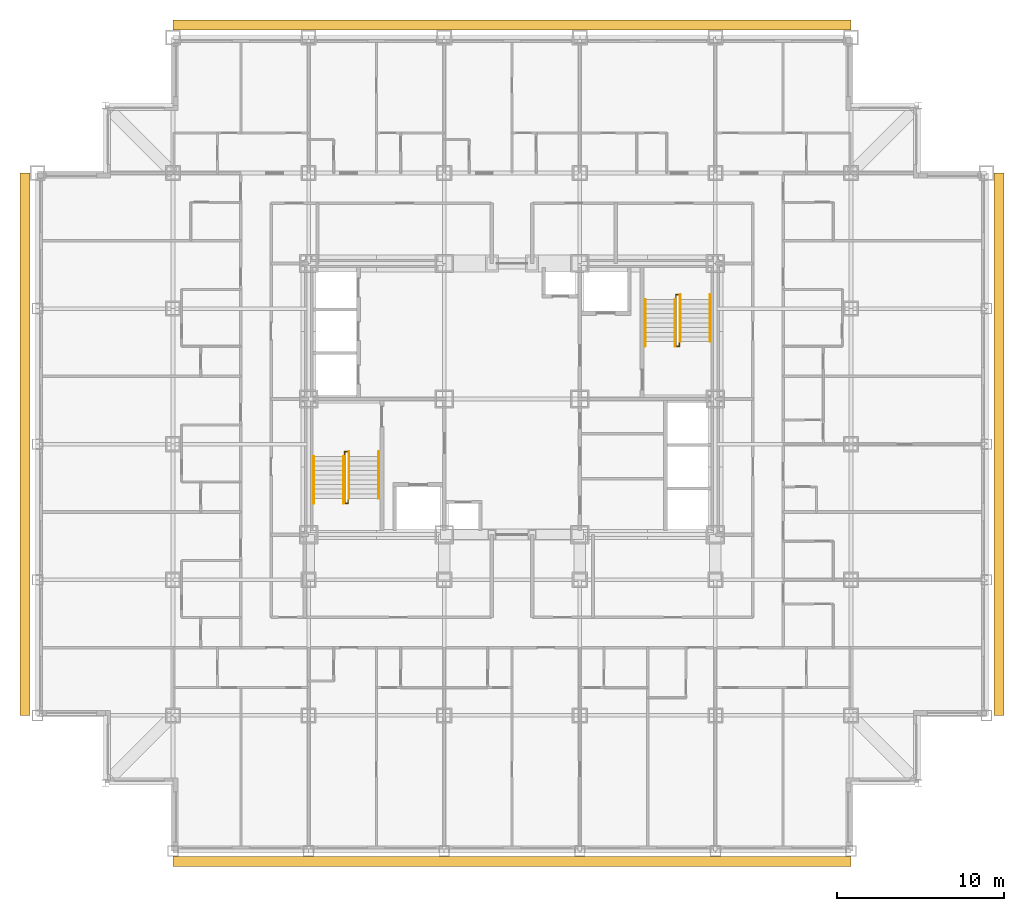
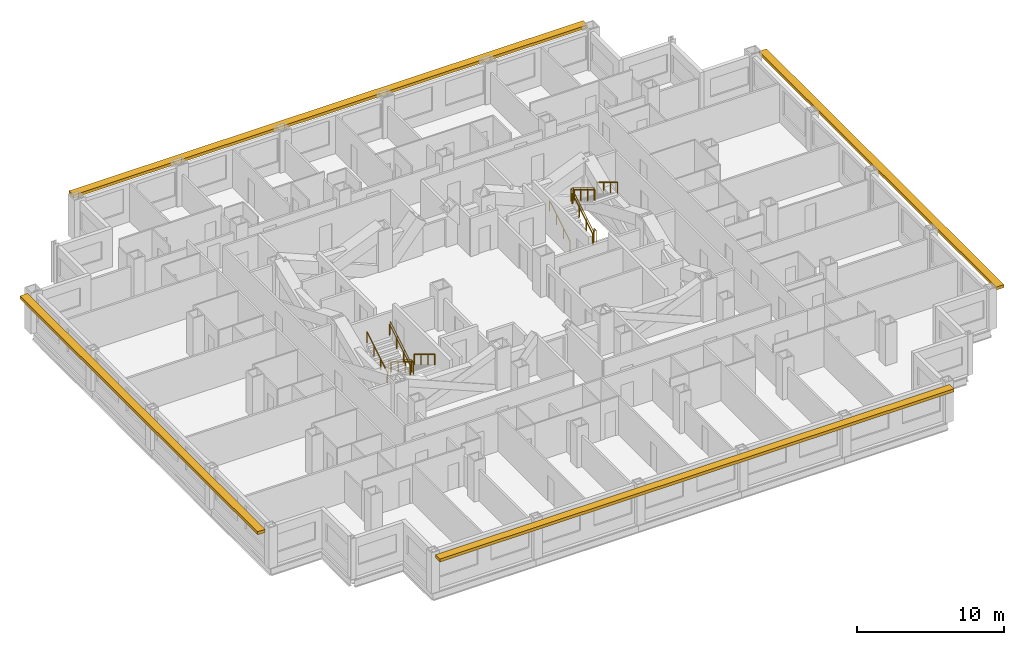
# One storey, part 12 of 12: 10 railings, 4 shading devices.
"""IFC4 building model written with IfcOpenShell, lengths in metres."""

from ifc_helpers import new_model, si_unit, direction, frame, origin, origin_2d, place, context, subcontext, project, spatial, rectangle, circle, extrude, material, type_object, element, save


model = new_model("IFC4")

# Units and contexts
model_context = context("Model", 3, precision=1e-05, world=origin(), true_north=direction((0.0, 1.0)))
body_context = subcontext(model_context, "Body", "Model", "MODEL_VIEW")
ifc_project = project(units=[si_unit("LENGTHUNIT", "METRE"), si_unit("AREAUNIT", "SQUARE_METRE"), si_unit("VOLUMEUNIT", "CUBIC_METRE"), si_unit("PLANEANGLEUNIT", "RADIAN"), si_unit("MASSUNIT", "GRAM", prefix="KILO")], contexts=[model_context])

# Site, building, storey
site_placement = place(None, origin())
site = spatial("IfcSite", under=ifc_project, at=site_placement, CompositionType="ELEMENT")
building_placement = place(site_placement, origin())
building = spatial("IfcBuilding", under=site, at=building_placement, Name="Kopane Lantern Tower", CompositionType="ELEMENT")
storey_placement = place(building_placement, frame((0.0, 0.0, 117.0)))
storey = spatial("IfcBuildingStorey", under=building, at=storey_placement, Name="L29", CompositionType="ELEMENT", Elevation=117.0)

# Railings
ifc_material_1 = material(Name="Steel", Category="steel")
railing_type_1 = type_object("IfcRailingType", Name="STAIR GUARD 1100", PredefinedType="GUARDRAIL", material=ifc_material_1)
railing_1_placement = place(storey_placement, frame((18.35009765625, 28.969970703125, 0.0)))
element("IfcRailing", 1, at=railing_1_placement, inside=storey, type_object=railing_type_1, Name="ST1 well guard L29", PredefinedType="GUARDRAIL", context=body_context, shape_type="SweptSolid", body=[
    extrude(circle(Radius=0.02392578125, at=origin_2d()), frame((0.0, 0.0, 1.076171875), z_axis=(0.0, 1.0, 0.0), x_axis=(-1.0, 0.0, 0.0)), (0.0, 0.0, 1.0), 0.280029296875),
    extrude(circle(Radius=0.02392578125, at=origin_2d()), frame((0.0, 0.280029296875, 1.076171875), z_axis=(1.0, 0.0, 0.0), x_axis=(0.0, 1.0, 0.0)), (0.0, 0.0, 1.0), 0.199951171875),
    extrude(circle(Radius=0.02392578125, at=origin_2d()), frame((0.199951171875, 0.280029296875, 1.076171875), z_axis=(0.0, -0.854798142509, 0.518960630071), x_axis=(1.0, 0.0, 0.0)), (0.0, 0.0, 1.0), 3.275634765625),
    extrude(circle(Radius=0.02392578125, at=origin_2d()), frame((0.199951171875, -2.52001953125, 2.77587890625), z_axis=(0.0, -1.0, 0.0), x_axis=(1.0, 0.0, 0.0)), (0.0, 0.0, 1.0), 0.280029296875),
    extrude(circle(Radius=0.02392578125, at=origin_2d()), frame((0.199951171875, -2.800048828125, 2.77587890625), z_axis=(-1.0, 0.0, 0.0), x_axis=(0.0, -1.0, 0.0)), (0.0, 0.0, 1.0), 0.199951171875),
    extrude(circle(Radius=0.02392578125, at=origin_2d()), frame((0.0, -2.800048828125, 2.77587890625), z_axis=(0.0, 0.854798142509, 0.518960630071), x_axis=(-1.0, 0.0, 0.0)), (0.0, 0.0, 1.0), 3.275634765625),
    extrude(circle(Radius=0.02099609375, at=origin_2d()), origin(), (0.0, 0.0, 1.0), 1.052001953125),
    extrude(circle(Radius=0.02099609375, at=origin_2d()), frame((0.0, 0.280029296875, 0.0)), (0.0, 0.0, 1.0), 1.052001953125),
    extrude(circle(Radius=0.02099609375, at=origin_2d()), frame((0.199951171875, 0.280029296875, 0.0)), (0.0, 0.0, 1.0), 1.052001953125),
    extrude(circle(Radius=0.02099609375, at=origin_2d()), frame((0.199951171875, -0.6533203125, 0.566650390625)), (0.0, 0.0, 1.0), 1.052001953125),
    extrude(circle(Radius=0.02099609375, at=origin_2d()), frame((0.199951171875, -1.586669921875, 1.13330078125)), (0.0, 0.0, 1.0), 1.052001953125),
    extrude(circle(Radius=0.02099609375, at=origin_2d()), frame((0.199951171875, -2.52001953125, 1.699951171875)), (0.0, 0.0, 1.0), 1.052001953125),
    extrude(circle(Radius=0.02099609375, at=origin_2d()), frame((0.199951171875, -2.800048828125, 1.699951171875)), (0.0, 0.0, 1.0), 1.052001953125),
    extrude(circle(Radius=0.02099609375, at=origin_2d()), frame((0.0, -2.800048828125, 1.699951171875)), (0.0, 0.0, 1.0), 1.052001953125),
    extrude(circle(Radius=0.02099609375, at=origin_2d()), frame((0.0, -1.86669921875, 2.2666015625)), (0.0, 0.0, 1.0), 1.052001953125),
    extrude(circle(Radius=0.02099609375, at=origin_2d()), frame((0.0, -0.933349609375, 2.833251953125)), (0.0, 0.0, 1.0), 1.052001953125),
    extrude(circle(Radius=0.02099609375, at=origin_2d()), frame((0.0, 0.0, 3.39990234375)), (0.0, 0.0, 1.0), 1.052001953125),
])
railing_2_placement = place(storey_placement, frame((38.35009765625, 35.830078125, 0.0)))
element("IfcRailing", 2, at=railing_2_placement, inside=storey, type_object=railing_type_1, Name="ST2 well guard L29", PredefinedType="GUARDRAIL", context=body_context, shape_type="SweptSolid", body=[
    extrude(circle(Radius=0.02392578125, at=origin_2d()), frame((0.0, 0.0, 1.076171875), z_axis=(0.0, -1.0, 0.0), x_axis=(1.0, 0.0, 0.0)), (0.0, 0.0, 1.0), 0.280029296875),
    extrude(circle(Radius=0.02392578125, at=origin_2d()), frame((0.0, -0.280029296875, 1.076171875), z_axis=(-1.0, 0.0, 0.0), x_axis=(0.0, -1.0, 0.0)), (0.0, 0.0, 1.0), 0.2001953125),
    extrude(circle(Radius=0.02392578125, at=origin_2d()), frame((-0.2001953125, -0.280029296875, 1.076171875), z_axis=(0.0, 0.854798142509, 0.518960630071), x_axis=(-1.0, 0.0, 0.0)), (0.0, 0.0, 1.0), 3.275634765625),
    extrude(circle(Radius=0.02392578125, at=origin_2d()), frame((-0.2001953125, 2.52001953125, 2.77587890625), z_axis=(0.0, 1.0, 0.0), x_axis=(-1.0, 0.0, 0.0)), (0.0, 0.0, 1.0), 0.27978515625),
    extrude(circle(Radius=0.02392578125, at=origin_2d()), frame((-0.2001953125, 2.7998046875, 2.77587890625), z_axis=(1.0, 0.0, 0.0), x_axis=(0.0, 1.0, 0.0)), (0.0, 0.0, 1.0), 0.2001953125),
    extrude(circle(Radius=0.02392578125, at=origin_2d()), frame((0.0, 2.7998046875, 2.77587890625), z_axis=(0.0, -0.854778067842, 0.518993694313), x_axis=(1.0, 0.0, 0.0)), (0.0, 0.0, 1.0), 3.275390625),
    extrude(circle(Radius=0.02099609375, at=origin_2d()), origin(), (0.0, 0.0, 1.0), 1.052001953125),
    extrude(circle(Radius=0.02099609375, at=origin_2d()), frame((0.0, -0.280029296875, 0.0)), (0.0, 0.0, 1.0), 1.052001953125),
    extrude(circle(Radius=0.02099609375, at=origin_2d()), frame((-0.2001953125, -0.280029296875, 0.0)), (0.0, 0.0, 1.0), 1.052001953125),
    extrude(circle(Radius=0.02099609375, at=origin_2d()), frame((-0.2001953125, 0.6533203125, 0.566650390625)), (0.0, 0.0, 1.0), 1.052001953125),
    extrude(circle(Radius=0.02099609375, at=origin_2d()), frame((-0.2001953125, 1.586669921875, 1.13330078125)), (0.0, 0.0, 1.0), 1.052001953125),
    extrude(circle(Radius=0.02099609375, at=origin_2d()), frame((-0.2001953125, 2.52001953125, 1.699951171875)), (0.0, 0.0, 1.0), 1.052001953125),
    extrude(circle(Radius=0.02099609375, at=origin_2d()), frame((-0.2001953125, 2.7998046875, 1.699951171875)), (0.0, 0.0, 1.0), 1.052001953125),
    extrude(circle(Radius=0.02099609375, at=origin_2d()), frame((0.0, 2.7998046875, 1.699951171875)), (0.0, 0.0, 1.0), 1.052001953125),
    extrude(circle(Radius=0.02099609375, at=origin_2d()), frame((0.0, 1.866455078125, 2.2666015625)), (0.0, 0.0, 1.0), 1.052001953125),
    extrude(circle(Radius=0.02099609375, at=origin_2d()), frame((0.0, 0.933349609375, 2.833251953125)), (0.0, 0.0, 1.0), 1.052001953125),
    extrude(circle(Radius=0.02099609375, at=origin_2d()), frame((0.0, 0.0, 3.39990234375)), (0.0, 0.0, 1.0), 1.052001953125),
])
ifc_material_2 = material(Name="Steel", Category="steel")
railing_type_2 = type_object("IfcRailingType", Name="STAIR HANDRAIL 900", PredefinedType="HANDRAIL", material=ifc_material_2)
for number, where, name in (
    (3, (20.389892578125, 29.25, 0.0), "ST1 handrail L29 flight 1"),
    (4, (18.610107421875, 29.25, 0.0), "ST1 handrail L29 flight 1"),
):
    element("IfcRailing", number, at=place(storey_placement, frame(where)), inside=storey, type_object=railing_type_2, Name=name, PredefinedType="HANDRAIL", context=body_context, shape_type="SweptSolid", body=[
        extrude(circle(Radius=0.02392578125, at=origin_2d()), frame((0.0, 0.0, 0.8759765625), z_axis=(0.0, -0.854798142509, 0.518960630071), x_axis=(1.0, 0.0, 0.0)), (0.0, 0.0, 1.0), 3.275634765625),
        extrude(circle(Radius=0.02099609375, at=origin_2d()), origin(), (0.0, 0.0, 1.0), 0.851806640625),
        extrude(circle(Radius=0.02099609375, at=origin_2d()), frame((0.0, -0.933349609375, 0.566650390625)), (0.0, 0.0, 1.0), 0.851806640625),
        extrude(circle(Radius=0.02099609375, at=origin_2d()), frame((0.0, -1.86669921875, 1.13330078125)), (0.0, 0.0, 1.0), 0.851806640625),
        extrude(circle(Radius=0.02099609375, at=origin_2d()), frame((0.0, -2.800048828125, 1.699951171875)), (0.0, 0.0, 1.0), 0.851806640625),
    ])
for number, where, name in (
    (5, (16.510009765625, 26.169921875, 1.699951171875), "ST1 handrail L29 flight 2"),
    (6, (18.2900390625, 26.169921875, 1.699951171875), "ST1 handrail L29 flight 2"),
    (7, (36.31005859375, 35.550048828125, 0.0), "ST2 handrail L29 flight 1"),
    (8, (38.090087890625, 35.550048828125, 0.0), "ST2 handrail L29 flight 1"),
):
    element("IfcRailing", number, at=place(storey_placement, frame(where)), inside=storey, type_object=railing_type_2, Name=name, PredefinedType="HANDRAIL", context=body_context, shape_type="SweptSolid", body=[
        extrude(circle(Radius=0.02392578125, at=origin_2d()), frame((0.0, 0.0, 0.8759765625), z_axis=(0.0, 0.854798142509, 0.518960630071), x_axis=(-1.0, 0.0, 0.0)), (0.0, 0.0, 1.0), 3.275634765625),
        extrude(circle(Radius=0.02099609375, at=origin_2d()), origin(), (0.0, 0.0, 1.0), 0.851806640625),
        extrude(circle(Radius=0.02099609375, at=origin_2d()), frame((0.0, 0.933349609375, 0.566650390625)), (0.0, 0.0, 1.0), 0.851806640625),
        extrude(circle(Radius=0.02099609375, at=origin_2d()), frame((0.0, 1.86669921875, 1.13330078125)), (0.0, 0.0, 1.0), 0.851806640625),
        extrude(circle(Radius=0.02099609375, at=origin_2d()), frame((0.0, 2.800048828125, 1.699951171875)), (0.0, 0.0, 1.0), 0.851806640625),
    ])
for number, where, name in (
    (9, (40.18994140625, 38.6298828125, 1.699951171875), "ST2 handrail L29 flight 2"),
    (10, (38.409912109375, 38.6298828125, 1.699951171875), "ST2 handrail L29 flight 2"),
):
    element("IfcRailing", number, at=place(storey_placement, frame(where)), inside=storey, type_object=railing_type_2, Name=name, PredefinedType="HANDRAIL", context=body_context, shape_type="SweptSolid", body=[
        extrude(circle(Radius=0.02392578125, at=origin_2d()), frame((0.0, 0.0, 0.8759765625), z_axis=(0.0, -0.854778067842, 0.518993694313), x_axis=(1.0, 0.0, 0.0)), (0.0, 0.0, 1.0), 3.275390625),
        extrude(circle(Radius=0.02099609375, at=origin_2d()), origin(), (0.0, 0.0, 1.0), 0.851806640625),
        extrude(circle(Radius=0.02099609375, at=origin_2d()), frame((0.0, -0.933349609375, 0.566650390625)), (0.0, 0.0, 1.0), 0.851806640625),
        extrude(circle(Radius=0.02099609375, at=origin_2d()), frame((0.0, -1.866455078125, 1.13330078125)), (0.0, 0.0, 1.0), 0.851806640625),
        extrude(circle(Radius=0.02099609375, at=origin_2d()), frame((0.0, -2.7998046875, 1.699951171875)), (0.0, 0.0, 1.0), 0.851806640625),
    ])

# Shading devices
ifc_material_3 = material(Name="Terracotta rainscreen on light steel framing", Category="masonry")
shading_device_type = type_object("IfcShadingDeviceType", Name="SUNSHADE BAND SB1 600 TERRACOTTA", PredefinedType="USERDEFINED", material=ifc_material_3)
shading_device_1_placement = place(storey_placement, frame((28.35009765625, 4.77490234375, 2.89990234375), z_axis=(0.0, 0.0, 1.0), x_axis=(1.0, 0.0, 0.0)))
element("IfcShadingDevice", 11, at=shading_device_1_placement, inside=storey, type_object=shading_device_type, Name="Sunshade band S L29", ObjectType="SUNSHADE BAND", PredefinedType="USERDEFINED", context=body_context, shape_type="SweptSolid", body=[
    extrude(rectangle(XDim=40.5, YDim=0.60009765625, at=origin_2d()), origin(), (0.0, 0.0, 1.0), 0.25),
])
shading_device_2_placement = place(storey_placement, frame((57.449951171875, 29.699951171875, 2.89990234375), z_axis=(0.0, 0.0, 1.0), x_axis=(0.0, 1.0, 0.0)))
element("IfcShadingDevice", 12, at=shading_device_2_placement, inside=storey, type_object=shading_device_type, Name="Sunshade band E L29", ObjectType="SUNSHADE BAND", PredefinedType="USERDEFINED", context=body_context, shape_type="SweptSolid", body=[
    extrude(rectangle(XDim=32.39990234375, YDim=0.60009765625, at=origin_2d()), origin(), (0.0, 0.0, 1.0), 0.25),
])
shading_device_3_placement = place(storey_placement, frame((28.35009765625, 54.75, 2.89990234375), z_axis=(0.0, 0.0, 1.0), x_axis=(-1.0, 0.0, 0.0)))
element("IfcShadingDevice", 13, at=shading_device_3_placement, inside=storey, type_object=shading_device_type, Name="Sunshade band N L29", ObjectType="SUNSHADE BAND", PredefinedType="USERDEFINED", context=body_context, shape_type="SweptSolid", body=[
    extrude(rectangle(XDim=40.5, YDim=0.60009765625, at=origin_2d()), origin(), (0.0, 0.0, 1.0), 0.25),
])
shading_device_4_placement = place(storey_placement, frame((-0.75, 29.699951171875, 2.89990234375), z_axis=(0.0, 0.0, 1.0), x_axis=(0.0, -1.0, 0.0)))
element("IfcShadingDevice", 14, at=shading_device_4_placement, inside=storey, type_object=shading_device_type, Name="Sunshade band W L29", ObjectType="SUNSHADE BAND", PredefinedType="USERDEFINED", context=body_context, shape_type="SweptSolid", body=[
    extrude(rectangle(XDim=32.39990234375, YDim=0.60009765625, at=origin_2d()), origin(), (0.0, 0.0, 1.0), 0.25),
])

save(model, "model.ifc")
